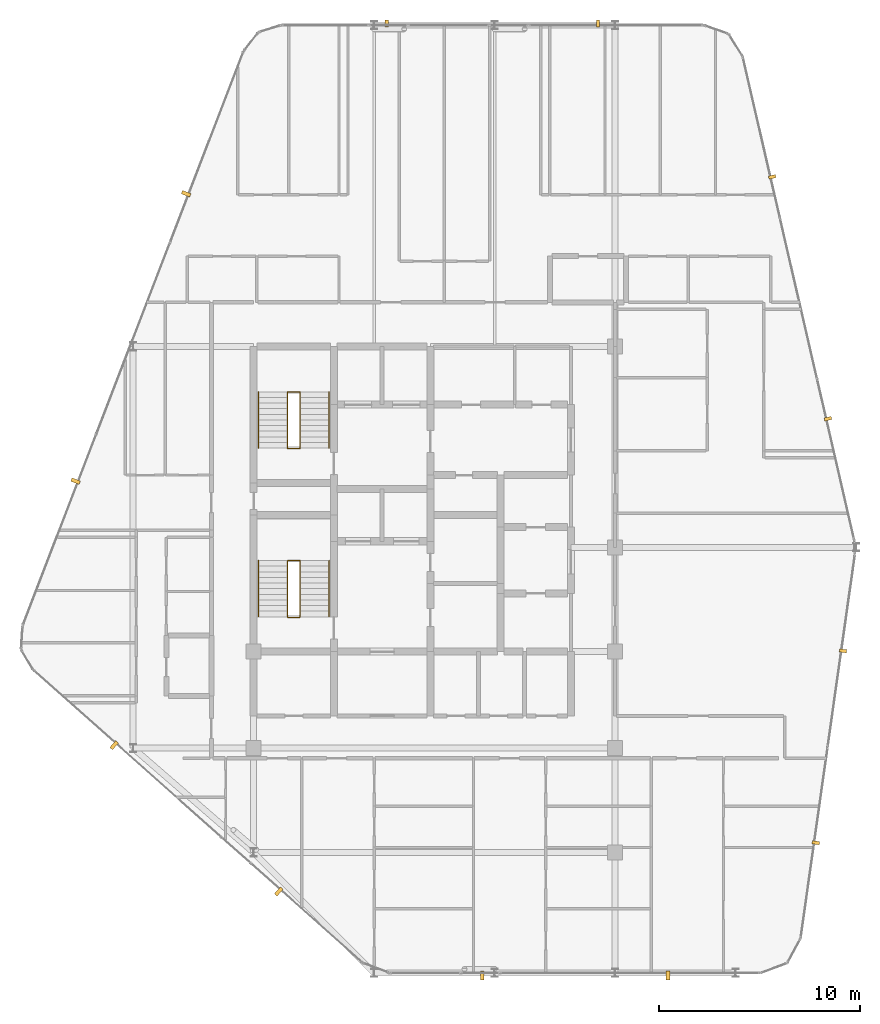
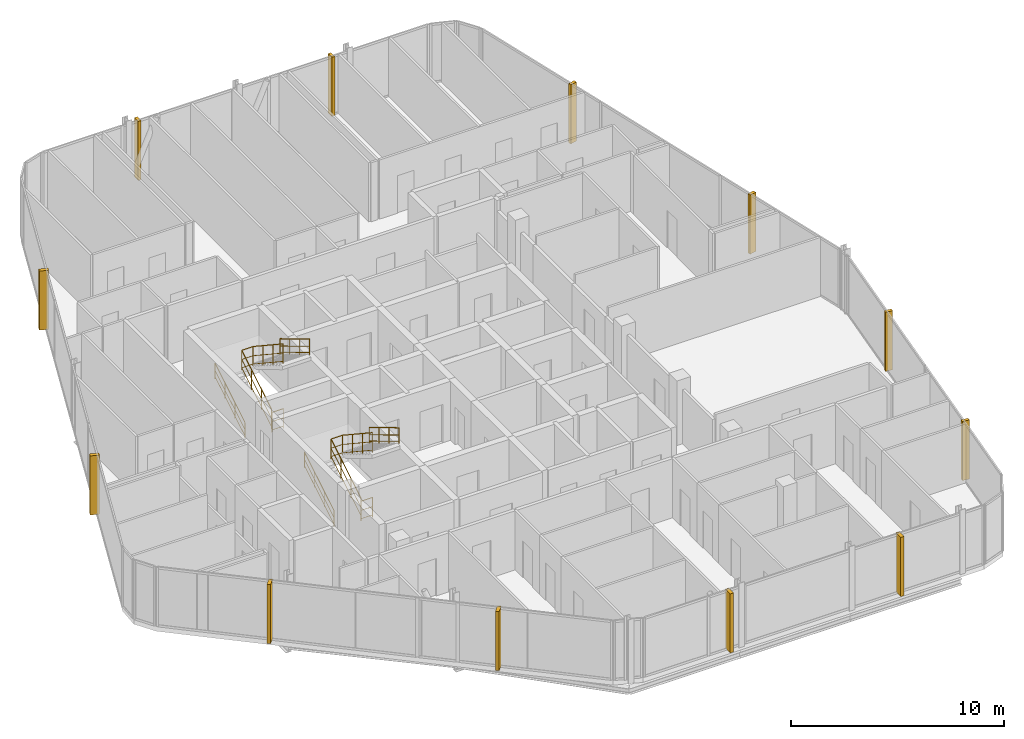
# One storey, part 28 of 28: 12 coverings, 8 railings.
"""IFC4 building model written with IfcOpenShell, lengths in metres."""

from ifc_helpers import new_model, si_unit, direction, frame, origin, origin_2d, place, context, subcontext, project, spatial, rectangle, circle, extrude, material, layer, layer_set, type_object, element, save


model = new_model("IFC4")

# Units and contexts
model_context = context("Model", 3, precision=1e-05, world=origin(), true_north=direction((0.0, 1.0)))
body_context = subcontext(model_context, "Body", "Model", "MODEL_VIEW")
ifc_project = project(units=[si_unit("LENGTHUNIT", "METRE"), si_unit("AREAUNIT", "SQUARE_METRE"), si_unit("VOLUMEUNIT", "CUBIC_METRE"), si_unit("PLANEANGLEUNIT", "RADIAN"), si_unit("MASSUNIT", "GRAM", prefix="KILO")], contexts=[model_context])

# Site, building, storey
site_placement = place(None, origin())
site = spatial("IfcSite", under=ifc_project, at=site_placement, CompositionType="ELEMENT")
building_placement = place(site_placement, origin())
building = spatial("IfcBuilding", under=site, at=building_placement, Name="Keshet Zoharim Tower", CompositionType="ELEMENT")
storey_placement = place(building_placement, frame((0.0, 0.0, 251.0)))
storey = spatial("IfcBuildingStorey", under=building, at=storey_placement, Name="L62", CompositionType="ELEMENT", Elevation=251.0)

# Coverings
ifc_material_1 = material(Name="Concrete C50/60 precast", Category="concrete")
covering_type_1 = type_object("IfcCoveringType", Name="FIN-SOL-360", PredefinedType="CLADDING", material=ifc_material_1)
for number, where, z_axis, x_axis, name in (
    (1, (21.633056640625, 53.97998046875, 0.0), (0.0, 0.0, 1.0), (1.0, 0.0, 0.0), "L62 Vertical Precast Solar Fin 03"),
    (2, (32.14990234375, 53.97998046875, 0.0), (0.0, 0.0, 1.0), (1.0, 0.0, 0.0), "L62 Vertical Precast Solar Fin 04"),
    (3, (40.824951171875, 46.345947265625, 0.0), (0.0, 0.0, 1.0), (0.224829963294, -0.974398012932, 0.0), "L62 Vertical Precast Solar Fin 05"),
    (4, (43.60400390625, 34.302001953125, 0.0), (0.0, 0.0, 1.0), (0.224829963294, -0.974398012932, 0.0), "L62 Vertical Precast Solar Fin 06"),
    (5, (44.35107421875, 22.742919921875, 0.0), (0.0, 0.0, 1.0), (-0.140137464177, -0.990132057422, 0.0), "L62 Vertical Precast Solar Fin 07"),
    (6, (42.998046875, 13.18701171875, 0.0), (0.0, 0.0, 1.0), (-0.140137464177, -0.990132057422, 0.0), "L62 Vertical Precast Solar Fin 08"),
):
    element("IfcCovering", number, at=place(storey_placement, frame(where, z_axis=z_axis, x_axis=x_axis)), inside=storey, type_object=covering_type_1, Name=name, PredefinedType="CLADDING", context=body_context, shape_type="SweptSolid", body=[
        extrude(rectangle(XDim=0.159912109375, YDim=0.360107421875, at=origin_2d()), origin(), (0.0, 0.0, 1.0), 3.389892578125),
    ])
covering_type_2 = type_object("IfcCoveringType", Name="FIN-SOL-450", PredefinedType="CLADDING", material=ifc_material_1)
for number, where, z_axis, x_axis, name in (
    (7, (6.133056640625, 31.194091796875, 0.0), (0.0, 0.0, 1.0), (0.358990003907, 0.933341404361, 0.0), "L62 Vertical Precast Solar Fin 01"),
    (8, (11.637939453125, 45.507080078125, 0.0), (0.0, 0.0, 1.0), (0.358990003907, 0.933341404361, 0.0), "L62 Vertical Precast Solar Fin 02"),
    (9, (35.636962890625, 6.574951171875, 0.0), (0.0, 0.0, 1.0), (-1.0, 0.0, 0.0), "L62 Vertical Precast Solar Fin 09"),
    (10, (26.385986328125, 6.574951171875, 0.0), (0.0, 0.0, 1.0), (-1.0, 0.0, 0.0), "L62 Vertical Precast Solar Fin 10"),
    (11, (16.25, 10.7548828125, 0.0), (0.0, 0.0, 1.0), (-0.747411833563, 0.66436100958, 0.0), "L62 Vertical Precast Solar Fin 11"),
    (12, (8.051025390625, 18.04296875, 0.0), (0.0, 0.0, 1.0), (-0.747411833563, 0.66436100958, 0.0), "L62 Vertical Precast Solar Fin 12"),
):
    element("IfcCovering", number, at=place(storey_placement, frame(where, z_axis=z_axis, x_axis=x_axis)), inside=storey, type_object=covering_type_2, Name=name, PredefinedType="CLADDING", context=body_context, shape_type="SweptSolid", body=[
        extrude(rectangle(XDim=0.179931640625, YDim=0.449951171875, at=origin_2d()), origin(), (0.0, 0.0, 1.0), 3.389892578125),
    ])

# Railings
ifc_material_2 = material(Name="Steel S355", Category="steel")
ifc_layer_1 = layer(ifc_material_2, 0.050048828125)
ifc_layer_set_1 = layer_set([ifc_layer_1], Name="Steel S355")
railing_type_1 = type_object("IfcRailingType", Name="RL-HND-092", PredefinedType="HANDRAIL", material=ifc_layer_set_1)
railing_1_placement = place(storey_placement, frame((15.239990234375, 24.43994140625, 0.168212890625)))
element("IfcRailing", 13, at=railing_1_placement, inside=storey, type_object=railing_type_1, Name="L62 ST-01 Flight 1 Wall Handrail", PredefinedType="HANDRAIL", context=body_context, shape_type="SweptSolid", body=[
    extrude(circle(Radius=0.02392578125, at=origin_2d()), frame((0.0, 0.0, 0.89599609375), z_axis=(0.0, 0.857242210791, 0.514913383045), x_axis=(-1.0, 0.0, 0.0)), (0.0, 0.0, 1.0), 3.266357421875),
    extrude(circle(Radius=0.01611328125, at=origin_2d()), frame((0.0, 0.0, 0.478271484375), z_axis=(0.0, 0.857242210791, 0.514913383045), x_axis=(-1.0, 0.0, 0.0)), (0.0, 0.0, 1.0), 3.266357421875),
    extrude(circle(Radius=0.01611328125, at=origin_2d()), frame((0.0, 0.0, 0.1201171875), z_axis=(0.0, 0.857242210791, 0.514913383045), x_axis=(-1.0, 0.0, 0.0)), (0.0, 0.0, 1.0), 3.266357421875),
    extrude(circle(Radius=0.02099609375, at=origin_2d()), origin(), (0.0, 0.0, 1.0), 0.871826171875),
    extrude(circle(Radius=0.02099609375, at=origin_2d()), frame((0.0, 0.933349609375, 0.560546875)), (0.0, 0.0, 1.0), 0.871826171875),
    extrude(circle(Radius=0.02099609375, at=origin_2d()), frame((0.0, 1.86669921875, 1.121337890625)), (0.0, 0.0, 1.0), 0.871826171875),
    extrude(circle(Radius=0.02099609375, at=origin_2d()), frame((0.0, 2.800048828125, 1.681884765625)), (0.0, 0.0, 1.0), 0.871826171875),
])
railing_2_placement = place(storey_placement, frame((18.760009765625, 27.239990234375, 2.018310546875)))
element("IfcRailing", 14, at=railing_2_placement, inside=storey, type_object=railing_type_1, Name="L62 ST-01 Flight 2 Wall Handrail", PredefinedType="HANDRAIL", context=body_context, shape_type="SweptSolid", body=[
    extrude(circle(Radius=0.02392578125, at=origin_2d()), frame((0.0, 0.0, 0.89599609375), z_axis=(0.0, -0.857275202839, 0.514858452973), x_axis=(1.0, 0.0, 0.0)), (0.0, 0.0, 1.0), 3.26611328125),
    extrude(circle(Radius=0.01611328125, at=origin_2d()), frame((0.0, 0.0, 0.478271484375), z_axis=(0.0, -0.857275202839, 0.514858452973), x_axis=(1.0, 0.0, 0.0)), (0.0, 0.0, 1.0), 3.26611328125),
    extrude(circle(Radius=0.01611328125, at=origin_2d()), frame((0.0, 0.0, 0.1201171875), z_axis=(0.0, -0.857275202839, 0.514858452973), x_axis=(1.0, 0.0, 0.0)), (0.0, 0.0, 1.0), 3.26611328125),
    extrude(circle(Radius=0.02099609375, at=origin_2d()), origin(), (0.0, 0.0, 1.0), 0.871826171875),
    extrude(circle(Radius=0.02099609375, at=origin_2d()), frame((0.0, -0.933349609375, 0.560546875)), (0.0, 0.0, 1.0), 0.871826171875),
    extrude(circle(Radius=0.02099609375, at=origin_2d()), frame((0.0, -1.86669921875, 1.12109375)), (0.0, 0.0, 1.0), 0.871826171875),
    extrude(circle(Radius=0.02099609375, at=origin_2d()), frame((0.0, -2.800048828125, 1.681640625)), (0.0, 0.0, 1.0), 0.871826171875),
])
railing_3_placement = place(storey_placement, frame((15.239990234375, 32.840087890625, 0.168212890625)))
element("IfcRailing", 15, at=railing_3_placement, inside=storey, type_object=railing_type_1, Name="L62 ST-02 Flight 1 Wall Handrail", PredefinedType="HANDRAIL", context=body_context, shape_type="SweptSolid", body=[
    extrude(circle(Radius=0.02392578125, at=origin_2d()), frame((0.0, 0.0, 0.89599609375), z_axis=(0.0, 0.857222391501, 0.514946377315), x_axis=(-1.0, 0.0, 0.0)), (0.0, 0.0, 1.0), 3.26611328125),
    extrude(circle(Radius=0.01611328125, at=origin_2d()), frame((0.0, 0.0, 0.478271484375), z_axis=(0.0, 0.857222391501, 0.514946377315), x_axis=(-1.0, 0.0, 0.0)), (0.0, 0.0, 1.0), 3.26611328125),
    extrude(circle(Radius=0.01611328125, at=origin_2d()), frame((0.0, 0.0, 0.1201171875), z_axis=(0.0, 0.857222391501, 0.514946377315), x_axis=(-1.0, 0.0, 0.0)), (0.0, 0.0, 1.0), 3.26611328125),
    extrude(circle(Radius=0.02099609375, at=origin_2d()), origin(), (0.0, 0.0, 1.0), 0.871826171875),
    extrude(circle(Radius=0.02099609375, at=origin_2d()), frame((0.0, 0.933349609375, 0.560546875)), (0.0, 0.0, 1.0), 0.871826171875),
    extrude(circle(Radius=0.02099609375, at=origin_2d()), frame((0.0, 1.866455078125, 1.121337890625)), (0.0, 0.0, 1.0), 0.871826171875),
    extrude(circle(Radius=0.02099609375, at=origin_2d()), frame((0.0, 2.7998046875, 1.681884765625)), (0.0, 0.0, 1.0), 0.871826171875),
])
railing_4_placement = place(storey_placement, frame((18.760009765625, 35.639892578125, 2.018310546875)))
element("IfcRailing", 16, at=railing_4_placement, inside=storey, type_object=railing_type_1, Name="L62 ST-02 Flight 2 Wall Handrail", PredefinedType="HANDRAIL", context=body_context, shape_type="SweptSolid", body=[
    extrude(circle(Radius=0.02392578125, at=origin_2d()), frame((0.0, 0.0, 0.89599609375), z_axis=(0.0, -0.857255387014, 0.514891446264), x_axis=(1.0, 0.0, 0.0)), (0.0, 0.0, 1.0), 3.26611328125),
    extrude(circle(Radius=0.01611328125, at=origin_2d()), frame((0.0, 0.0, 0.478271484375), z_axis=(0.0, -0.857255387014, 0.514891446264), x_axis=(1.0, 0.0, 0.0)), (0.0, 0.0, 1.0), 3.26611328125),
    extrude(circle(Radius=0.01611328125, at=origin_2d()), frame((0.0, 0.0, 0.1201171875), z_axis=(0.0, -0.857255387014, 0.514891446264), x_axis=(1.0, 0.0, 0.0)), (0.0, 0.0, 1.0), 3.26611328125),
    extrude(circle(Radius=0.02099609375, at=origin_2d()), origin(), (0.0, 0.0, 1.0), 0.871826171875),
    extrude(circle(Radius=0.02099609375, at=origin_2d()), frame((0.0, -0.933349609375, 0.560546875)), (0.0, 0.0, 1.0), 0.871826171875),
    extrude(circle(Radius=0.02099609375, at=origin_2d()), frame((0.0, -1.866455078125, 1.12109375)), (0.0, 0.0, 1.0), 0.871826171875),
    extrude(circle(Radius=0.02099609375, at=origin_2d()), frame((0.0, -2.7998046875, 1.681640625)), (0.0, 0.0, 1.0), 0.871826171875),
])
ifc_layer_2 = layer(ifc_material_2, 0.06005859375)
ifc_layer_set_2 = layer_set([ifc_layer_2], Name="Steel S355")
railing_type_2 = type_object("IfcRailingType", Name="RL-STG-115", PredefinedType="GUARDRAIL", material=ifc_layer_set_2)
railing_5_placement = place(storey_placement, frame((16.68994140625, 24.43994140625, 0.168212890625)))
element("IfcRailing", 17, at=railing_5_placement, inside=storey, type_object=railing_type_2, Name="L62 ST-01 Inner Well Guardrail", PredefinedType="GUARDRAIL", context=body_context, shape_type="SweptSolid", body=[
    extrude(circle(Radius=0.02392578125, at=origin_2d()), frame((0.0, 0.0, 1.1259765625), z_axis=(0.0, 0.857242210791, 0.514913383045), x_axis=(-1.0, 0.0, 0.0)), (0.0, 0.0, 1.0), 3.266357421875),
    extrude(circle(Radius=0.01611328125, at=origin_2d()), frame((0.0, 0.0, 0.597900390625), z_axis=(0.0, 0.857242210791, 0.514913383045), x_axis=(-1.0, 0.0, 0.0)), (0.0, 0.0, 1.0), 3.266357421875),
    extrude(circle(Radius=0.01611328125, at=origin_2d()), frame((0.0, 0.0, 0.1201171875), z_axis=(0.0, 0.857242210791, 0.514913383045), x_axis=(-1.0, 0.0, 0.0)), (0.0, 0.0, 1.0), 3.266357421875),
    extrude(circle(Radius=0.02392578125, at=origin_2d()), frame((0.0, 2.800048828125, 2.8076171875), z_axis=(1.0, 0.0, 0.0), x_axis=(0.0, 1.0, 0.0)), (0.0, 0.0, 1.0), 0.6201171875),
    extrude(circle(Radius=0.01611328125, at=origin_2d()), frame((0.0, 2.800048828125, 2.27978515625), z_axis=(1.0, 0.0, 0.0), x_axis=(0.0, 1.0, 0.0)), (0.0, 0.0, 1.0), 0.6201171875),
    extrude(circle(Radius=0.01611328125, at=origin_2d()), frame((0.0, 2.800048828125, 1.802001953125), z_axis=(1.0, 0.0, 0.0), x_axis=(0.0, 1.0, 0.0)), (0.0, 0.0, 1.0), 0.6201171875),
    extrude(circle(Radius=0.02392578125, at=origin_2d()), frame((0.6201171875, 2.800048828125, 2.8076171875), z_axis=(0.0, -0.83435981716, 0.551220187865), x_axis=(1.0, 0.0, 0.0)), (0.0, 0.0, 1.0), 3.35595703125),
    extrude(circle(Radius=0.01611328125, at=origin_2d()), frame((0.6201171875, 2.800048828125, 2.27978515625), z_axis=(0.0, -0.83435981716, 0.551220187865), x_axis=(1.0, 0.0, 0.0)), (0.0, 0.0, 1.0), 3.35595703125),
    extrude(circle(Radius=0.01611328125, at=origin_2d()), frame((0.6201171875, 2.800048828125, 1.802001953125), z_axis=(0.0, -0.83435981716, 0.551220187865), x_axis=(1.0, 0.0, 0.0)), (0.0, 0.0, 1.0), 3.35595703125),
    extrude(circle(Radius=0.02099609375, at=origin_2d()), origin(), (0.0, 0.0, 1.0), 1.101806640625),
    extrude(circle(Radius=0.02099609375, at=origin_2d()), frame((0.0, 0.933349609375, 0.560546875)), (0.0, 0.0, 1.0), 1.101806640625),
    extrude(circle(Radius=0.02099609375, at=origin_2d()), frame((0.0, 1.86669921875, 1.121337890625)), (0.0, 0.0, 1.0), 1.101806640625),
    extrude(circle(Radius=0.02099609375, at=origin_2d()), frame((0.0, 2.800048828125, 1.681884765625)), (0.0, 0.0, 1.0), 1.101806640625),
    extrude(circle(Radius=0.02099609375, at=origin_2d()), frame((0.6201171875, 2.800048828125, 1.681884765625)), (0.0, 0.0, 1.0), 1.101806640625),
    extrude(circle(Radius=0.02099609375, at=origin_2d()), frame((0.6201171875, 1.86669921875, 2.298583984375)), (0.0, 0.0, 1.0), 1.101806640625),
    extrude(circle(Radius=0.02099609375, at=origin_2d()), frame((0.6201171875, 0.933349609375, 2.9150390625)), (0.0, 0.0, 1.0), 1.101806640625),
    extrude(circle(Radius=0.02099609375, at=origin_2d()), frame((0.6201171875, 0.0, 3.53173828125)), (0.0, 0.0, 1.0), 1.101806640625),
])
railing_6_placement = place(storey_placement, frame((16.68994140625, 24.409912109375, 0.0)))
element("IfcRailing", 18, at=railing_6_placement, inside=storey, type_object=railing_type_2, Name="L62 ST-01 Stairwell Floor Guardrail", PredefinedType="GUARDRAIL", context=body_context, shape_type="SweptSolid", body=[
    extrude(circle(Radius=0.02392578125, at=origin_2d()), frame((0.0, 0.0, 1.1259765625), z_axis=(1.0, 0.0, 0.0), x_axis=(0.0, 1.0, 0.0)), (0.0, 0.0, 1.0), 0.6201171875),
    extrude(circle(Radius=0.01611328125, at=origin_2d()), frame((0.0, 0.0, 0.597900390625), z_axis=(1.0, 0.0, 0.0), x_axis=(0.0, 1.0, 0.0)), (0.0, 0.0, 1.0), 0.6201171875),
    extrude(circle(Radius=0.01611328125, at=origin_2d()), frame((0.0, 0.0, 0.1201171875), z_axis=(1.0, 0.0, 0.0), x_axis=(0.0, 1.0, 0.0)), (0.0, 0.0, 1.0), 0.6201171875),
    extrude(circle(Radius=0.02099609375, at=origin_2d()), origin(), (0.0, 0.0, 1.0), 1.101806640625),
    extrude(circle(Radius=0.02099609375, at=origin_2d()), frame((0.6201171875, 0.0, 0.0)), (0.0, 0.0, 1.0), 1.101806640625),
])
railing_7_placement = place(storey_placement, frame((16.68994140625, 32.840087890625, 0.168212890625)))
element("IfcRailing", 19, at=railing_7_placement, inside=storey, type_object=railing_type_2, Name="L62 ST-02 Inner Well Guardrail", PredefinedType="GUARDRAIL", context=body_context, shape_type="SweptSolid", body=[
    extrude(circle(Radius=0.02392578125, at=origin_2d()), frame((0.0, 0.0, 1.1259765625), z_axis=(0.0, 0.857222391501, 0.514946377315), x_axis=(-1.0, 0.0, 0.0)), (0.0, 0.0, 1.0), 3.26611328125),
    extrude(circle(Radius=0.01611328125, at=origin_2d()), frame((0.0, 0.0, 0.597900390625), z_axis=(0.0, 0.857222391501, 0.514946377315), x_axis=(-1.0, 0.0, 0.0)), (0.0, 0.0, 1.0), 3.26611328125),
    extrude(circle(Radius=0.01611328125, at=origin_2d()), frame((0.0, 0.0, 0.1201171875), z_axis=(0.0, 0.857222391501, 0.514946377315), x_axis=(-1.0, 0.0, 0.0)), (0.0, 0.0, 1.0), 3.26611328125),
    extrude(circle(Radius=0.02392578125, at=origin_2d()), frame((0.0, 2.7998046875, 2.8076171875), z_axis=(1.0, 0.0, 0.0), x_axis=(0.0, 1.0, 0.0)), (0.0, 0.0, 1.0), 0.6201171875),
    extrude(circle(Radius=0.01611328125, at=origin_2d()), frame((0.0, 2.7998046875, 2.27978515625), z_axis=(1.0, 0.0, 0.0), x_axis=(0.0, 1.0, 0.0)), (0.0, 0.0, 1.0), 0.6201171875),
    extrude(circle(Radius=0.01611328125, at=origin_2d()), frame((0.0, 2.7998046875, 1.802001953125), z_axis=(1.0, 0.0, 0.0), x_axis=(0.0, 1.0, 0.0)), (0.0, 0.0, 1.0), 0.6201171875),
    extrude(circle(Radius=0.02392578125, at=origin_2d()), frame((0.6201171875, 2.7998046875, 2.8076171875), z_axis=(0.0, -0.834337710781, 0.551253647941), x_axis=(1.0, 0.0, 0.0)), (0.0, 0.0, 1.0), 3.355712890625),
    extrude(circle(Radius=0.01611328125, at=origin_2d()), frame((0.6201171875, 2.7998046875, 2.27978515625), z_axis=(0.0, -0.834337710781, 0.551253647941), x_axis=(1.0, 0.0, 0.0)), (0.0, 0.0, 1.0), 3.355712890625),
    extrude(circle(Radius=0.01611328125, at=origin_2d()), frame((0.6201171875, 2.7998046875, 1.802001953125), z_axis=(0.0, -0.834337710781, 0.551253647941), x_axis=(1.0, 0.0, 0.0)), (0.0, 0.0, 1.0), 3.355712890625),
    extrude(circle(Radius=0.02099609375, at=origin_2d()), origin(), (0.0, 0.0, 1.0), 1.101806640625),
    extrude(circle(Radius=0.02099609375, at=origin_2d()), frame((0.0, 0.933349609375, 0.560546875)), (0.0, 0.0, 1.0), 1.101806640625),
    extrude(circle(Radius=0.02099609375, at=origin_2d()), frame((0.0, 1.866455078125, 1.121337890625)), (0.0, 0.0, 1.0), 1.101806640625),
    extrude(circle(Radius=0.02099609375, at=origin_2d()), frame((0.0, 2.7998046875, 1.681884765625)), (0.0, 0.0, 1.0), 1.101806640625),
    extrude(circle(Radius=0.02099609375, at=origin_2d()), frame((0.6201171875, 2.7998046875, 1.681884765625)), (0.0, 0.0, 1.0), 1.101806640625),
    extrude(circle(Radius=0.02099609375, at=origin_2d()), frame((0.6201171875, 1.866455078125, 2.298583984375)), (0.0, 0.0, 1.0), 1.101806640625),
    extrude(circle(Radius=0.02099609375, at=origin_2d()), frame((0.6201171875, 0.933349609375, 2.9150390625)), (0.0, 0.0, 1.0), 1.101806640625),
    extrude(circle(Radius=0.02099609375, at=origin_2d()), frame((0.6201171875, 0.0, 3.53173828125)), (0.0, 0.0, 1.0), 1.101806640625),
])
railing_8_placement = place(storey_placement, frame((16.68994140625, 32.81005859375, 0.0)))
element("IfcRailing", 20, at=railing_8_placement, inside=storey, type_object=railing_type_2, Name="L62 ST-02 Stairwell Floor Guardrail", PredefinedType="GUARDRAIL", context=body_context, shape_type="SweptSolid", body=[
    extrude(circle(Radius=0.02392578125, at=origin_2d()), frame((0.0, 0.0, 1.1259765625), z_axis=(1.0, 0.0, 0.0), x_axis=(0.0, 1.0, 0.0)), (0.0, 0.0, 1.0), 0.6201171875),
    extrude(circle(Radius=0.01611328125, at=origin_2d()), frame((0.0, 0.0, 0.597900390625), z_axis=(1.0, 0.0, 0.0), x_axis=(0.0, 1.0, 0.0)), (0.0, 0.0, 1.0), 0.6201171875),
    extrude(circle(Radius=0.01611328125, at=origin_2d()), frame((0.0, 0.0, 0.1201171875), z_axis=(1.0, 0.0, 0.0), x_axis=(0.0, 1.0, 0.0)), (0.0, 0.0, 1.0), 0.6201171875),
    extrude(circle(Radius=0.02099609375, at=origin_2d()), origin(), (0.0, 0.0, 1.0), 1.101806640625),
    extrude(circle(Radius=0.02099609375, at=origin_2d()), frame((0.6201171875, 0.0, 0.0)), (0.0, 0.0, 1.0), 1.101806640625),
])

save(model, "model.ifc")
